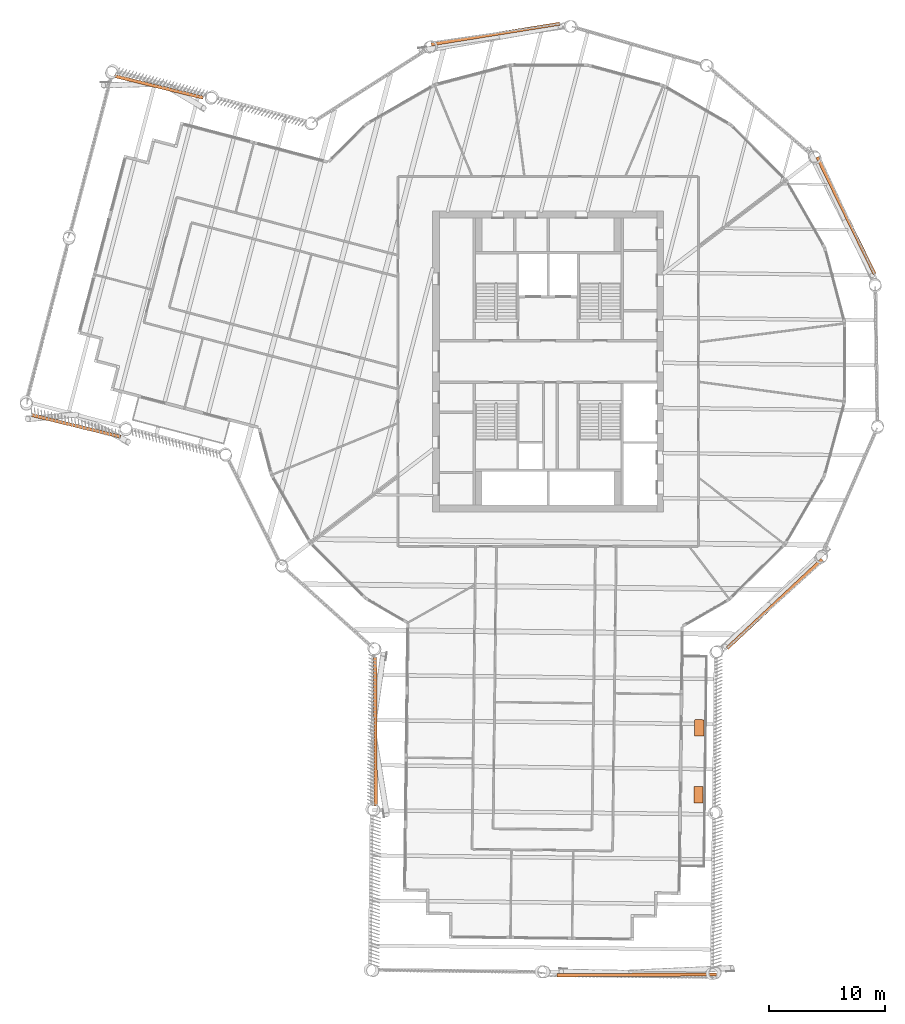
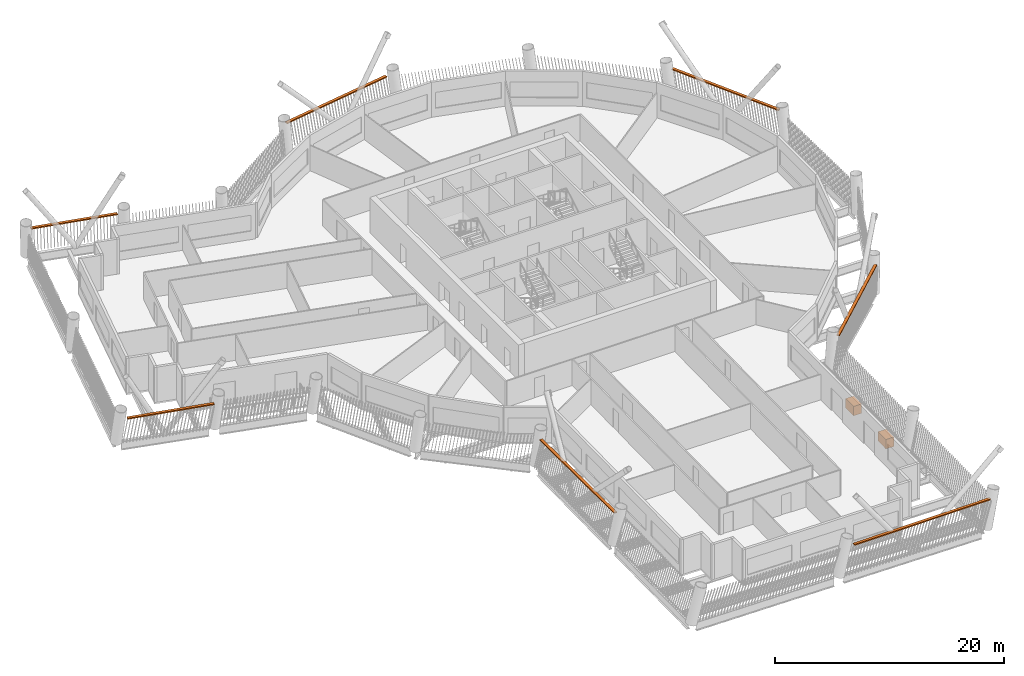
# One storey, part 21 of 21: 9 proxies.
"""IFC4 building model written with IfcOpenShell, lengths in metres."""

from ifc_helpers import new_model, si_unit, direction, frame, origin, origin_2d, place, context, subcontext, project, spatial, rectangle, extrude, material, type_object, element, save


model = new_model("IFC4")

# Units and contexts
model_context = context("Model", 3, precision=1e-05, world=origin(), true_north=direction((0.0, 1.0)))
body_context = subcontext(model_context, "Body", "Model", "MODEL_VIEW")
ifc_project = project(units=[si_unit("LENGTHUNIT", "METRE"), si_unit("AREAUNIT", "SQUARE_METRE"), si_unit("VOLUMEUNIT", "CUBIC_METRE"), si_unit("PLANEANGLEUNIT", "RADIAN"), si_unit("MASSUNIT", "GRAM", prefix="KILO")], contexts=[model_context])

# Site, building, storey
site_placement = place(None, origin())
site = spatial("IfcSite", under=ifc_project, at=site_placement, CompositionType="ELEMENT")
building_placement = place(site_placement, origin())
building = spatial("IfcBuilding", under=site, at=building_placement, Name="Tarsis Ring Headquarters", CompositionType="ELEMENT")
storey_placement = place(building_placement, frame((0.0, 0.0, 223.800048828125)))
storey = spatial("IfcBuildingStorey", under=building, at=storey_placement, Name="L52", CompositionType="ELEMENT", Elevation=223.800048828125)

# Proxies
ifc_material_1 = material(Name="Structural steel S355", Category="steel")
building_element_proxy_type_1 = type_object("IfcBuildingElementProxyType", Name="Screen bracket plate", PredefinedType="USERDEFINED", material=ifc_material_1)
proxy_1_placement = place(storey_placement, frame((-14.938720703125, -32.02001953125, 2.949951171875), z_axis=(0.0, 0.0, 1.0), x_axis=(0.004886902454, -0.999988059021, 0.0)))
element("IfcBuildingElementProxy", 1, at=proxy_1_placement, inside=storey, type_object=building_element_proxy_type_1, Name="Screen bracket L52-01", ObjectType="Bracket", PredefinedType="USERDEFINED", context=body_context, shape_type="SweptSolid", body=[
    extrude(rectangle(XDim=12.90234375, YDim=0.280029296875, at=origin_2d()), origin(), (0.0, 0.0, 1.0), 0.1201171875),
])
proxy_2_placement = place(storey_placement, frame((7.659423828125, -53.05810546875, 2.949951171875), z_axis=(0.0, 0.0, 1.0), x_axis=(0.999988059106, 0.004886885001, 0.0)))
element("IfcBuildingElementProxy", 2, at=proxy_2_placement, inside=storey, type_object=building_element_proxy_type_1, Name="Screen bracket L52-04", ObjectType="Bracket", PredefinedType="USERDEFINED", context=body_context, shape_type="SweptSolid", body=[
    extrude(rectangle(XDim=13.800048828125, YDim=0.280029296875, at=origin_2d()), origin(), (0.0, 0.0, 1.0), 0.1201171875),
])
for number, where, z_axis, x_axis, name in (
    (3, (19.5966796875, -20.955078125, 2.949951171875), (0.0, 0.0, 1.0), (0.730385540309, 0.683035110743, 0.0), "Screen bracket L52-07"),
    (4, (25.762939453125, 12.6259765625, 2.949951171875), (0.0, 0.0, 1.0), (-0.440076386544, 0.897960340999, 0.0), "Screen bracket L52-10"),
    (5, (-4.5556640625, 28.32666015625, 2.949951171875), (0.0, 0.0, 1.0), (-0.987313611905, -0.158782340791, 0.0), "Screen bracket L52-13"),
):
    element("IfcBuildingElementProxy", number, at=place(storey_placement, frame(where, z_axis=z_axis, x_axis=x_axis)), inside=storey, type_object=building_element_proxy_type_1, Name=name, ObjectType="Bracket", PredefinedType="USERDEFINED", context=body_context, shape_type="SweptSolid", body=[
        extrude(rectangle(XDim=11.248779296875, YDim=0.280029296875, at=origin_2d()), origin(), (0.0, 0.0, 1.0), 0.1201171875),
    ])
for number, where, z_axis, x_axis, name in (
    (6, (-33.674560546875, 23.759765625, 2.949951171875), (0.0, 0.0, 1.0), (-0.971466380421, 0.23717730016, 0.0), "Screen bracket L52-16"),
    (7, (-40.834716796875, -5.56884765625, 2.949951171875), (0.0, 0.0, 1.0), (0.97146639284, -0.237177249294, 0.0), "Screen bracket L52-19"),
):
    element("IfcBuildingElementProxy", number, at=place(storey_placement, frame(where, z_axis=z_axis, x_axis=x_axis)), inside=storey, type_object=building_element_proxy_type_1, Name=name, ObjectType="Bracket", PredefinedType="USERDEFINED", context=body_context, shape_type="SweptSolid", body=[
        extrude(rectangle(XDim=7.90234375, YDim=0.280029296875, at=origin_2d()), origin(), (0.0, 0.0, 1.0), 0.1201171875),
    ])
ifc_material_2 = material(Name="Planter soil mix and tree")
building_element_proxy_type_2 = type_object("IfcBuildingElementProxyType", Name="Tree planter", PredefinedType="USERDEFINED", material=ifc_material_2)
for number, where, z_axis, x_axis, name in (
    (8, (13.006103515625, -37.475341796875, 0.0), (0.0, 0.0, 1.0), (0.011868012655, 0.999929572658, 0.0), "Tree planter L52-16.2"),
    (9, (13.074951171875, -31.687744140625, 0.0), (0.0, 0.0, 1.0), (0.011868012655, 0.999929572658, 0.0), "Tree planter L52-16.3"),
):
    element("IfcBuildingElementProxy", number, at=place(storey_placement, frame(where, z_axis=z_axis, x_axis=x_axis)), inside=storey, type_object=building_element_proxy_type_2, Name=name, ObjectType="Planter", PredefinedType="USERDEFINED", context=body_context, shape_type="SweptSolid", body=[
        extrude(rectangle(XDim=1.39990234375, YDim=0.800048828125, at=origin_2d()), origin(), (0.0, 0.0, 1.0), 1.0),
    ])

save(model, "model.ifc")
